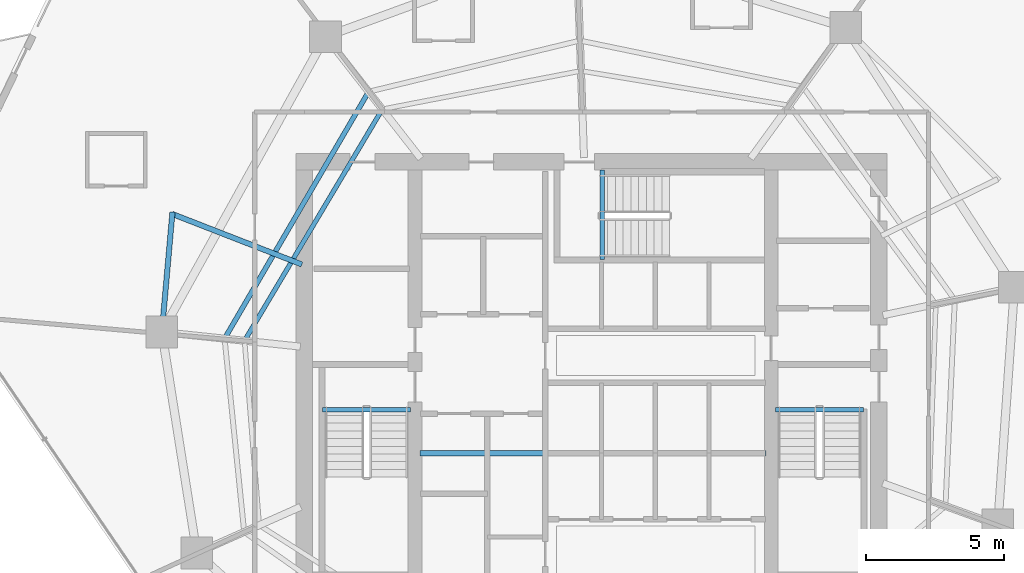
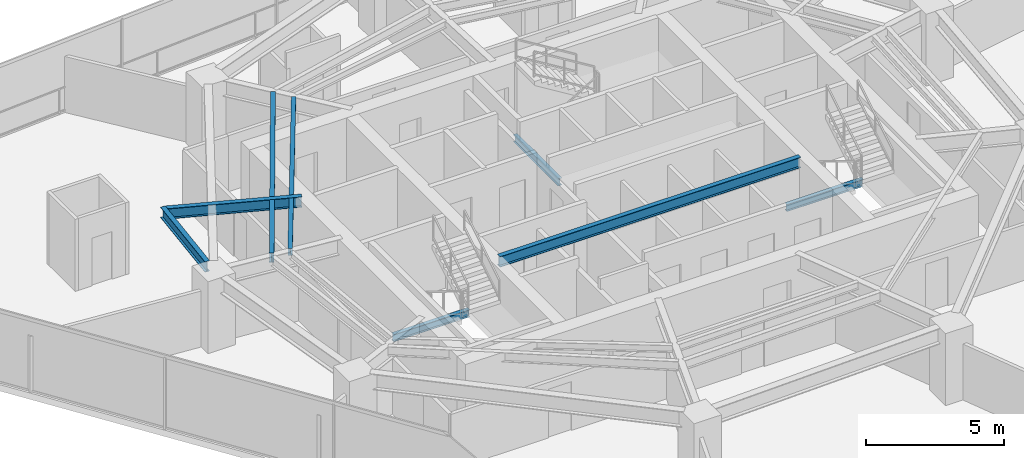
# One storey, part 9 of 30: 8 beams.
"""IFC4 building model written with IfcOpenShell, lengths in metres."""

from ifc_helpers import new_model, si_unit, direction, frame, origin, origin_2d, place, context, subcontext, project, spatial, i_section, extrude, material, material_profile, profile_set, type_object, element, save


model = new_model("IFC4")

# Units and contexts
model_context = context("Model", 3, precision=1e-05, world=origin(), true_north=direction((0.0, 1.0)))
body_context = subcontext(model_context, "Body", "Model", "MODEL_VIEW")
ifc_project = project(units=[si_unit("LENGTHUNIT", "METRE"), si_unit("AREAUNIT", "SQUARE_METRE"), si_unit("VOLUMEUNIT", "CUBIC_METRE"), si_unit("PLANEANGLEUNIT", "RADIAN"), si_unit("MASSUNIT", "GRAM", prefix="KILO")], contexts=[model_context])

# Site, building, storey
site_placement = place(None, origin())
site = spatial("IfcSite", under=ifc_project, at=site_placement, CompositionType="ELEMENT")
building_placement = place(site_placement, origin())
building = spatial("IfcBuilding", under=site, at=building_placement, Name="Qarnah Convention Tower", CompositionType="ELEMENT")
storey_placement = place(building_placement, frame((0.0, 0.0, 83.25)))
storey = spatial("IfcBuildingStorey", under=building, at=storey_placement, Name="L21", CompositionType="ELEMENT", Elevation=83.25)

# Beams
ifc_material = material(Name="Structural steel S355JR", Category="steel")
ifc_material_profile_1 = material_profile(ifc_material, i_section(OverallWidth=0.19189453125, OverallDepth=0.464111328125, WebThickness=0.010986328125, FlangeThickness=0.01806640625, at=origin_2d()), Name="W460X89")
ifc_profile_set_1 = profile_set([ifc_material_profile_1], Name="Structural steel S355JR")
beam_type_1 = type_object("IfcBeamType", Name="BM-CANT-W460A", PredefinedType="BEAM", material=ifc_profile_set_1)
beam_1_placement = place(storey_placement, frame((30.97998046875, 23.64990234375, 2.93798828125), z_axis=(1.0, 0.0, 0.0), x_axis=(0.0, 1.0, 0.0)))
element("IfcBeam", 1, at=beam_1_placement, inside=storey, type_object=beam_type_1, Name="L21 beam BM-L21-KC1", PredefinedType="BEAM", context=body_context, shape_type="SweptSolid", body=[
    extrude(i_section(OverallWidth=0.19189453125, OverallDepth=0.464111328125, WebThickness=0.010986328125, FlangeThickness=0.01806640625, at=origin_2d()), origin(), (0.0, 0.0, 1.0), 12.5400390625),
])
beam_2_placement = place(storey_placement, frame((26.70703125, 30.48291015625, 2.93798828125), z_axis=(-0.93184170275, 0.362865045183, 0.0), x_axis=(-0.362865045183, -0.93184170275, 0.0)))
element("IfcBeam", 2, at=beam_2_placement, inside=storey, type_object=beam_type_1, Name="L21 beam BM-L21-CNT-02-1", PredefinedType="BEAM", context=body_context, shape_type="SweptSolid", body=[
    extrude(i_section(OverallWidth=0.19189453125, OverallDepth=0.464111328125, WebThickness=0.010986328125, FlangeThickness=0.01806640625, at=origin_2d()), origin(), (0.0, 0.0, 1.0), 5.035400390625),
])
beam_3_placement = place(storey_placement, frame((22.02099609375, 32.3798828125, 2.93798828125), z_axis=(-0.088250477094, -0.996098315074, 0.0), x_axis=(0.996098315074, -0.088250477094, 0.0)))
element("IfcBeam", 3, at=beam_3_placement, inside=storey, type_object=beam_type_1, Name="L21 spandrel BM-L21-CTIE-02", PredefinedType="SPANDREL", context=body_context, shape_type="SweptSolid", body=[
    extrude(i_section(OverallWidth=0.19189453125, OverallDepth=0.464111328125, WebThickness=0.010986328125, FlangeThickness=0.01806640625, at=origin_2d()), origin(), (0.0, 0.0, 1.0), 3.795654296875),
])
ifc_material_profile_2 = material_profile(ifc_material, i_section(OverallWidth=0.166015625, OverallDepth=0.31201171875, WebThickness=0.007080078125, FlangeThickness=0.010986328125, at=origin_2d()), Name="W310X45")
ifc_profile_set_2 = profile_set([ifc_material_profile_2], Name="Structural steel S355JR")
beam_type_2 = type_object("IfcBeamType", Name="BM-JST-W310", PredefinedType="JOIST", material=ifc_profile_set_2)
for number, where, z_axis, x_axis, name in (
    (4, (27.4599609375, 25.217041015625, -0.156005859375), (1.0, 0.0, 0.0), (0.0, 1.0, 0.0), "L21 stair landing trimmer beam BM-L21-ST1-TRM"),
    (5, (43.860107421875, 25.217041015625, -0.156005859375), (1.0, 0.0, 0.0), (0.0, 1.0, 0.0), "L21 stair landing trimmer beam BM-L21-ST2-TRM"),
):
    element("IfcBeam", number, at=place(storey_placement, frame(where, z_axis=z_axis, x_axis=x_axis)), inside=storey, type_object=beam_type_2, Name=name, PredefinedType="BEAM", context=body_context, shape_type="SweptSolid", body=[
        extrude(i_section(OverallWidth=0.166015625, OverallDepth=0.31201171875, WebThickness=0.007080078125, FlangeThickness=0.010986328125, at=origin_2d()), origin(), (0.0, 0.0, 1.0), 3.179931640625),
    ])
beam_4_placement = place(storey_placement, frame((37.5830078125, 30.659912109375, -0.156005859375), z_axis=(0.0, 1.0, 0.0), x_axis=(-1.0, 0.0, 0.0)))
element("IfcBeam", 6, at=beam_4_placement, inside=storey, type_object=beam_type_2, Name="L21 stair landing trimmer beam BM-L21-ST3-TRM", PredefinedType="BEAM", context=body_context, shape_type="SweptSolid", body=[
    extrude(i_section(OverallWidth=0.166015625, OverallDepth=0.31201171875, WebThickness=0.007080078125, FlangeThickness=0.010986328125, at=origin_2d()), origin(), (0.0, 0.0, 1.0), 3.239990234375),
])
beam_5_placement = place(storey_placement, frame((29.572998046875, 36.02587890625, 3.013916015625), z_axis=(-0.511368642738, -0.859361455515, 0.0), x_axis=(0.859361455515, -0.511368642738, 0.0)))
element("IfcBeam", 7, at=beam_5_placement, inside=storey, type_object=beam_type_2, Name="L21 joist BM-L21-IJST-04", PredefinedType="JOIST", context=body_context, shape_type="SweptSolid", body=[
    extrude(i_section(OverallWidth=0.166015625, OverallDepth=0.31201171875, WebThickness=0.007080078125, FlangeThickness=0.010986328125, at=origin_2d()), origin(), (0.0, 0.0, 1.0), 9.57421875),
])
ifc_material_profile_3 = material_profile(ifc_material, i_section(OverallWidth=0.177978515625, OverallDepth=0.407958984375, WebThickness=0.008056640625, FlangeThickness=0.012939453125, at=origin_2d()), Name="W410X60")
ifc_profile_set_3 = profile_set([ifc_material_profile_3], Name="Structural steel S355JR")
beam_type_3 = type_object("IfcBeamType", Name="BM-JST-W410", PredefinedType="JOIST", material=ifc_profile_set_3)
beam_6_placement = place(storey_placement, frame((29.077880859375, 36.659912109375, 2.966064453125), z_axis=(-0.503905353002, -0.863758875622, 0.0), x_axis=(0.863758875622, -0.503905353002, 0.0)))
element("IfcBeam", 8, at=beam_6_placement, inside=storey, type_object=beam_type_3, Name="L21 joist BM-L21-SJST-04", PredefinedType="JOIST", context=body_context, shape_type="SweptSolid", body=[
    extrude(i_section(OverallWidth=0.177978515625, OverallDepth=0.407958984375, WebThickness=0.008056640625, FlangeThickness=0.012939453125, at=origin_2d()), origin(), (0.0, 0.0, 1.0), 10.170654296875),
])

save(model, "model.ifc")
